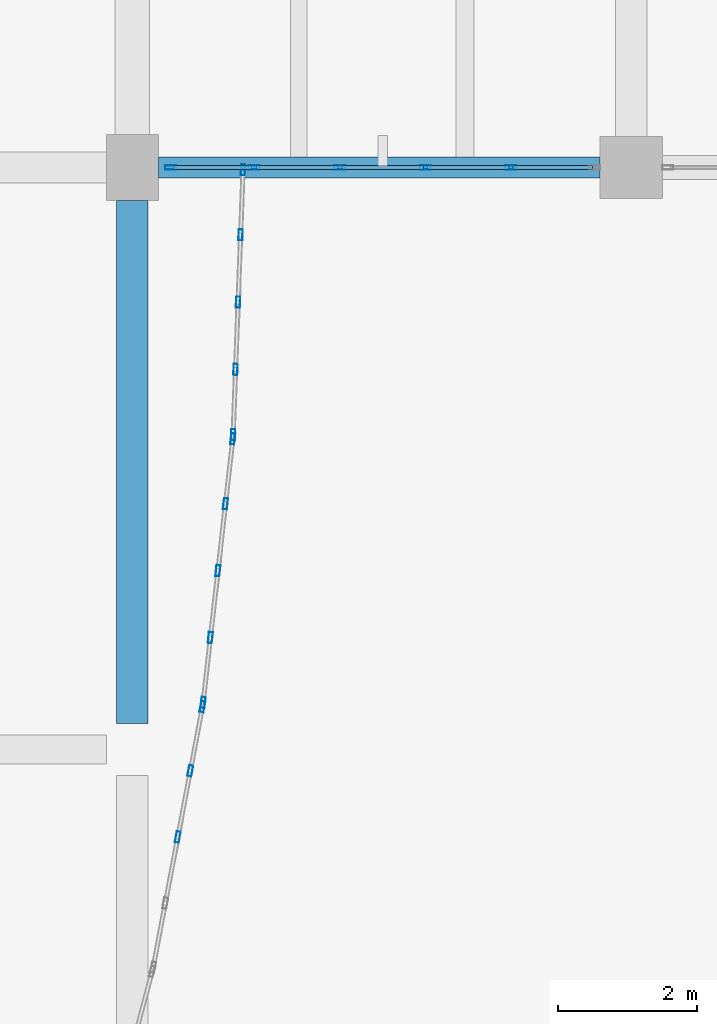
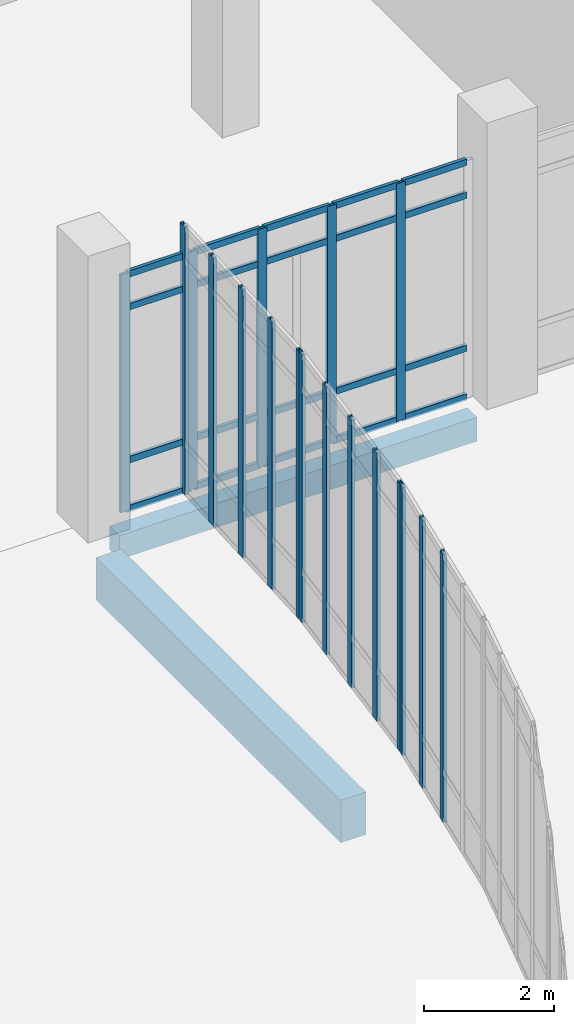
# One storey, part 49 of 110: 38 members, 2 beams, 4 elements without a shape of their own.
"""IFC4 building model written with IfcOpenShell, lengths in metres."""

import ifcopenshell
import ifcopenshell.guid

model = None  # the IFC model being written
_history = None  # IfcOwnerHistory: only IFC2X3 demands one
_inside = {}  # id of a spatial element -> (the spatial element, [elements in it])
_under = {}  # id of a project, library or spatial element -> (it, [spatial elements below it])
_declared = {}  # id of a project -> (the project, [libraries it declares])
_typed = {}  # id of a type object -> (the type object, [elements of that type])
_made_of = {}  # id of a material, layer set ... -> (it, [elements and type objects made of it])


def new_model(schema):
    """Start an empty IFC model of exactly this schema.

    Asked for "IFC4X3", IfcOpenShell would pick the latest addendum, in which some entities
    have other attributes; the version numbers below select the first issue.
    IFC2X3 requires an IfcOwnerHistory on every rooted entity: one is made here for all.
    """
    global model, _history
    if schema == "IFC4X3":
        model = ifcopenshell.file(schema_version=(4, 3, 0, 0))
    else:
        model = ifcopenshell.file(schema=schema)
    _inside.clear()
    _under.clear()
    _declared.clear()
    _typed.clear()
    _made_of.clear()
    _history = None
    if model.schema == "IFC2X3":
        org = make("IfcOrganization", Name="unknown")
        user = make(
            "IfcPersonAndOrganization",
            ThePerson=make("IfcPerson", FamilyName="unknown"),
            TheOrganization=org,
        )
        app = make(
            "IfcApplication",
            ApplicationDeveloper=org,
            Version="unknown",
            ApplicationFullName="unknown",
            ApplicationIdentifier="unknown",
        )
        _history = make(
            "IfcOwnerHistory",
            OwningUser=user,
            OwningApplication=app,
            ChangeAction="ADDED",
            CreationDate=0,
        )
    return model


def make(cls, **values):
    """One entity of the class cls with the attributes given. An attribute that is None is left unset."""
    return model.create_entity(
        cls, **{name: value for name, value in values.items() if value is not None}
    )


def rooted(cls, **values):
    """An entity with a GlobalId (a new one), such as an element, a storey or a relation."""
    return make(cls, GlobalId=ifcopenshell.guid.new(), OwnerHistory=_history, **values)


def si_unit(unit_type, name, prefix=None):
    """IfcSIUnit, for example si_unit("LENGTHUNIT", "METRE", prefix="MILLI")."""
    return make("IfcSIUnit", UnitType=unit_type, Prefix=prefix, Name=name)


def assignment(units):
    """IfcUnitAssignment: the units of a project."""
    return None if units is None else make("IfcUnitAssignment", Units=units)


def point(xyz):
    """IfcCartesianPoint."""
    return None if xyz is None else make("IfcCartesianPoint", Coordinates=xyz)


def direction(xyz):
    """IfcDirection."""
    return None if xyz is None else make("IfcDirection", DirectionRatios=xyz)


def frame(location, z_axis=None, x_axis=None):
    """IfcAxis2Placement3D, a coordinate frame: its origin and axes. An axis left out is left unset."""
    return make(
        "IfcAxis2Placement3D",
        Location=point(location),
        Axis=direction(z_axis),
        RefDirection=direction(x_axis),
    )


def frame_2d(location, x_axis=None):
    """IfcAxis2Placement2D, a coordinate frame in the plane: its origin and x axis."""
    return make(
        "IfcAxis2Placement2D", Location=point(location), RefDirection=direction(x_axis)
    )


def origin():
    """The frame at (0, 0, 0) with its axes left unset."""
    return frame((0.0, 0.0, 0.0))


def origin_2d():
    """The frame at (0, 0) in the plane with its x axis left unset."""
    return frame_2d((0.0, 0.0))


def place(relative_to, where):
    """IfcLocalPlacement: puts the frame where relative to a parent placement (None: the world)."""
    return make(
        "IfcLocalPlacement", PlacementRelTo=relative_to, RelativePlacement=where
    )


def context(
    kind, dimensions, precision=None, world=None, true_north=None, identifier=None
):
    """IfcGeometricRepresentationContext, for example the 3D "Model" context."""
    return make(
        "IfcGeometricRepresentationContext",
        ContextIdentifier=identifier,
        ContextType=kind,
        CoordinateSpaceDimension=dimensions,
        Precision=precision,
        WorldCoordinateSystem=world,
        TrueNorth=true_north,
    )


def subcontext(parent, identifier, kind, view, scale=None):
    """IfcGeometricRepresentationSubContext, for example "Body" below "Model"."""
    return make(
        "IfcGeometricRepresentationSubContext",
        ContextIdentifier=identifier,
        ContextType=kind,
        ParentContext=parent,
        TargetScale=scale,
        TargetView=view,
    )


def project(units=None, contexts=None):
    """IfcProject with its units and contexts."""
    return rooted(
        "IfcProject",
        Name="project",
        RepresentationContexts=contexts,
        UnitsInContext=assignment(units),
    )


def spatial(cls, under=None, at=None, **own):
    """A site, building, storey or space (cls), placed at a placement, below another one or the project."""
    s = rooted(cls, ObjectPlacement=at, **own)
    if under is not None:
        _under.setdefault(under.id(), (under, []))[1].append(s)
    return s


def profile(cls, at=None, kind="AREA", **sizes):
    """A parametric profile (cls). Its sizes go by their IFC names, for example OverallWidth=200.0."""
    return make(cls, ProfileType=kind, Position=at, **sizes)


def rectangle(**sizes):
    """IfcRectangleProfileDef."""
    return profile("IfcRectangleProfileDef", **sizes)


def hollow_rectangle(**sizes):
    """IfcRectangleHollowProfileDef."""
    return profile("IfcRectangleHollowProfileDef", **sizes)


def extrude(swept, where, along, depth):
    """IfcExtrudedAreaSolid: the profile swept, set in the frame where, extruded along a direction by depth."""
    return make(
        "IfcExtrudedAreaSolid",
        SweptArea=swept,
        Position=where,
        ExtrudedDirection=direction(along),
        Depth=depth,
    )


def shape(context_of_items, identifier, shape_type, items):
    """IfcShapeRepresentation: the items that make up one representation, for example the "Body"."""
    return make(
        "IfcShapeRepresentation",
        ContextOfItems=context_of_items,
        RepresentationIdentifier=identifier,
        RepresentationType=shape_type,
        Items=items,
    )


def material(Name=None, Category=None):
    """IfcMaterial."""
    return make("IfcMaterial", Name=Name, Category=Category)


def material_profile(
    of_material, cross_section, Name=None, Category=None, Priority=None
):
    """IfcMaterialProfile: a cross section and its material."""
    return make(
        "IfcMaterialProfile",
        Name=Name,
        Material=of_material,
        Profile=cross_section,
        Priority=Priority,
        Category=Category,
    )


def profile_set(profiles, Name=None, composite=None):
    """IfcMaterialProfileSet."""
    return make(
        "IfcMaterialProfileSet",
        Name=Name,
        MaterialProfiles=profiles,
        CompositeProfile=composite,
    )


def made_of(thing, what):
    """Note that an element or type object is made of a material, layer set ...; save() writes the relation."""
    if what is not None:
        _made_of.setdefault(what.id(), (what, []))[1].append(thing)
    return thing


def type_object(cls, material=None, **own):
    """A type object (cls), such as IfcWallType, which elements share."""
    return made_of(rooted(cls, **own), material)


def element(
    cls,
    number,
    at=None,
    inside=None,
    cuts=None,
    type_object=None,
    material=None,
    context=None,
    identifier="Body",
    shape_type=None,
    held_by="IfcProductDefinitionShape",
    body=None,
    shapes=None,
    **own,
):
    """One element of the class cls, such as IfcWall. Its Tag is "e" and its number.

    at: its placement. inside: the storey or other place that contains it. cuts: it is an
    opening in that element (IfcRelVoidsElement). A single representation is given by context,
    identifier, shape_type and body (its items); several are given by shapes. held_by: the class
    of the entity that holds the representations. save() writes the other relations.
    """
    e = rooted(cls, Tag="e%d" % number, ObjectPlacement=at, **own)
    if body is not None:
        shapes = [shape(context, identifier, shape_type, body)]
    if shapes is not None:
        e.Representation = make(held_by, Representations=shapes)
    if inside is not None:
        _inside.setdefault(inside.id(), (inside, []))[1].append(e)
    if cuts is not None:
        rooted(
            "IfcRelVoidsElement", RelatingBuildingElement=cuts, RelatedOpeningElement=e
        )
    if type_object is not None:
        _typed.setdefault(type_object.id(), (type_object, []))[1].append(e)
    return made_of(e, material)


def aggregate(whole, parts):
    """IfcRelAggregates: a whole, such as a stair, and the parts it consists of."""
    return rooted("IfcRelAggregates", RelatingObject=whole, RelatedObjects=parts)


def save(model, path):
    """Write the relations noted so far, then the file.

    IfcRelAggregates (storeys below a building ...), IfcRelContainedInSpatialStructure (elements
    in a storey), IfcRelDefinesByType, IfcRelAssociatesMaterial and IfcRelDeclares: one each for
    every whole, place, type object, material and project.
    """
    for whole, parts in _under.values():
        aggregate(whole, parts)
    for where, things in _inside.values():
        rooted(
            "IfcRelContainedInSpatialStructure",
            RelatedElements=things,
            RelatingStructure=where,
        )
    for kind, things in _typed.values():
        rooted("IfcRelDefinesByType", RelatedObjects=things, RelatingType=kind)
    for what, things in _made_of.values():
        rooted("IfcRelAssociatesMaterial", RelatedObjects=things, RelatingMaterial=what)
    for by, libraries in _declared.values():
        rooted("IfcRelDeclares", RelatingContext=by, RelatedDefinitions=libraries)
    model.write(path)


model = new_model("IFC4")

# Units and contexts
model_context = context("Model", 3, precision=1e-05, world=origin(), true_north=direction((0.0, 1.0)))
body_context = subcontext(model_context, "Body", "Model", "MODEL_VIEW")
ifc_project = project(units=[si_unit("LENGTHUNIT", "METRE"), si_unit("AREAUNIT", "SQUARE_METRE"), si_unit("VOLUMEUNIT", "CUBIC_METRE"), si_unit("PLANEANGLEUNIT", "RADIAN"), si_unit("MASSUNIT", "GRAM", prefix="KILO")], contexts=[model_context])

# Site, building, storey
site_placement = place(None, origin())
site = spatial("IfcSite", under=ifc_project, at=site_placement, CompositionType="ELEMENT")
building_placement = place(site_placement, origin())
building = spatial("IfcBuilding", under=site, at=building_placement, Name="Kalluvel Institute of Natural Sciences", CompositionType="ELEMENT")
storey_placement = place(building_placement, origin())
storey = spatial("IfcBuildingStorey", under=building, at=storey_placement, Name="L00", CompositionType="ELEMENT", Elevation=0.0)

# Beam
ifc_material_1 = material(Name="Concrete M40", Category="concrete")
ifc_material_profile_1 = material_profile(ifc_material_1, rectangle(XDim=0.449951171875, YDim=0.800048828125, at=origin_2d()), Name="RCB 450x800")
ifc_profile_set_1 = profile_set([ifc_material_profile_1], Name="Concrete M40")
beam_type_1 = type_object("IfcBeamType", Name="BM-RC450x800", PredefinedType="BEAM", material=ifc_profile_set_1)
beam_1_placement = place(storey_placement, frame((86.0, 94.77490234375, -0.719970703125), z_axis=(0.0, 1.0, 0.0), x_axis=(-1.0, 0.0, 0.0)))
element("IfcBeam", 1, at=beam_1_placement, inside=storey, type_object=beam_type_1, Name="L00 girder GIR-L00-NS-X860-Y944", PredefinedType="BEAM", context=body_context, shape_type="SweptSolid", body=[
    extrude(rectangle(XDim=0.449951171875, YDim=0.800048828125, at=origin_2d()), origin(), (0.0, 0.0, 1.0), 7.550048828125),
])

# Curtain wall, members
ifc_material_2 = material(Name="Aluminium AW-6063 T6", Category="aluminium")
curtain_wall_type_1 = type_object("IfcCurtainWallType", Name="CW-WET-54", PredefinedType="USERDEFINED", material=ifc_material_2)
curtain_wall_1_placement = place(storey_placement, origin())
curtain_wall_1 = element("IfcCurtainWall", 2, at=curtain_wall_1_placement, inside=storey, type_object=curtain_wall_type_1, Name="L00 Gothic lancet curtain wall CWA-L00-X865-Y1028", ObjectType="UNITISED LANCET FACADE", PredefinedType="USERDEFINED")
ifc_material_profile_2 = material_profile(ifc_material_2, hollow_rectangle(XDim=0.06005859375, YDim=0.159912109375, WallThickness=0.00390625, at=origin_2d()), Name="CWM 60x160")
ifc_profile_set_2 = profile_set([ifc_material_profile_2], Name="Aluminium AW-6063 T6")
member_type_1 = type_object("IfcMemberType", Name="CWM-60x160", PredefinedType="MULLION", material=ifc_profile_set_2)
member_1_placement = place(storey_placement, frame((86.554931640625, 102.800048828125, 0.0), z_axis=(0.0, 0.0, 1.0), x_axis=(0.0, 1.0, 0.0)))
member_1 = element("IfcMember", 3, at=member_1_placement, type_object=member_type_1, Name="CW-02 mullion 1", PredefinedType="MULLION", context=body_context, shape_type="SweptSolid", body=[
    extrude(hollow_rectangle(XDim=0.06005859375, YDim=0.159912109375, WallThickness=0.00390625, at=origin_2d()), origin(), (0.0, 0.0, 1.0), 4.47998046875),
])
member_2_placement = place(storey_placement, frame((87.760009765625, 102.800048828125, 0.0), z_axis=(0.0, 0.0, 1.0), x_axis=(0.0, 1.0, 0.0)))
member_2 = element("IfcMember", 4, at=member_2_placement, type_object=member_type_1, Name="CW-02 mullion 2", PredefinedType="MULLION", context=body_context, shape_type="SweptSolid", body=[
    extrude(hollow_rectangle(XDim=0.06005859375, YDim=0.159912109375, WallThickness=0.00390625, at=origin_2d()), origin(), (0.0, 0.0, 1.0), 4.47998046875),
])
member_3_placement = place(storey_placement, frame((88.9951171875, 102.800048828125, 0.0), z_axis=(0.0, 0.0, 1.0), x_axis=(0.0, 1.0, 0.0)))
member_3 = element("IfcMember", 5, at=member_3_placement, type_object=member_type_1, Name="CW-02 mullion 3", PredefinedType="MULLION", context=body_context, shape_type="SweptSolid", body=[
    extrude(hollow_rectangle(XDim=0.06005859375, YDim=0.159912109375, WallThickness=0.00390625, at=origin_2d()), origin(), (0.0, 0.0, 1.0), 4.47998046875),
])
member_4_placement = place(storey_placement, frame((90.22998046875, 102.800048828125, 0.0), z_axis=(0.0, 0.0, 1.0), x_axis=(0.0, 1.0, 0.0)))
member_4 = element("IfcMember", 6, at=member_4_placement, type_object=member_type_1, Name="CW-02 mullion 4", PredefinedType="MULLION", context=body_context, shape_type="SweptSolid", body=[
    extrude(hollow_rectangle(XDim=0.06005859375, YDim=0.159912109375, WallThickness=0.00390625, at=origin_2d()), origin(), (0.0, 0.0, 1.0), 4.47998046875),
])
member_5_placement = place(storey_placement, frame((91.465087890625, 102.800048828125, 0.0), z_axis=(0.0, 0.0, 1.0), x_axis=(0.0, 1.0, 0.0)))
member_5 = element("IfcMember", 7, at=member_5_placement, type_object=member_type_1, Name="CW-02 mullion 5", PredefinedType="MULLION", context=body_context, shape_type="SweptSolid", body=[
    extrude(hollow_rectangle(XDim=0.06005859375, YDim=0.159912109375, WallThickness=0.00390625, at=origin_2d()), origin(), (0.0, 0.0, 1.0), 4.47998046875),
])

curtain_wall_type_2 = type_object("IfcCurtainWallType", Name="CW-ATR-L00", PredefinedType="USERDEFINED", material=ifc_material_2)
curtain_wall_2_placement = place(storey_placement, origin())
curtain_wall_2 = element("IfcCurtainWall", 8, at=curtain_wall_2_placement, inside=storey, type_object=curtain_wall_type_2, Name="L00 Gothic lancet curtain wall CWA-L00-X863-Y912", ObjectType="UNITISED LANCET FACADE", PredefinedType="USERDEFINED")
member_6_placement = place(storey_placement, frame((86.65771484375, 93.139404296875, 0.0), z_axis=(0.0, 0.0, 1.0), x_axis=(-0.982568976212, 0.185898378113, 0.0)))
member_6 = element("IfcMember", 9, at=member_6_placement, type_object=member_type_1, Name="CW-06 mullion 3", PredefinedType="MULLION", context=body_context, shape_type="SweptSolid", body=[
    extrude(hollow_rectangle(XDim=0.06005859375, YDim=0.159912109375, WallThickness=0.00390625, at=origin_2d()), origin(), (0.0, 0.0, 1.0), 5.050048828125),
])
member_7_placement = place(storey_placement, frame((86.83837890625, 94.094482421875, 0.0), z_axis=(0.0, 0.0, 1.0), x_axis=(-0.982568976212, 0.185898378113, 0.0)))
member_7 = element("IfcMember", 10, at=member_7_placement, type_object=member_type_1, Name="CW-06 mullion 4", PredefinedType="MULLION", context=body_context, shape_type="SweptSolid", body=[
    extrude(hollow_rectangle(XDim=0.06005859375, YDim=0.159912109375, WallThickness=0.00390625, at=origin_2d()), origin(), (0.0, 0.0, 1.0), 5.050048828125),
])
member_8_placement = place(storey_placement, frame((87.013671875, 95.020263671875, 0.0), z_axis=(0.0, 0.0, 1.0), x_axis=(-0.982568976212, 0.185898378113, 0.0)))
member_8 = element("IfcMember", 11, at=member_8_placement, type_object=member_type_1, Name="CW-06 mullion 5", PredefinedType="MULLION", context=body_context, shape_type="SweptSolid", body=[
    extrude(hollow_rectangle(XDim=0.06005859375, YDim=0.159912109375, WallThickness=0.00390625, at=origin_2d()), origin(), (0.0, 0.0, 1.0), 5.050048828125),
])
aggregate(curtain_wall_2, [member_6, member_7, member_8])

curtain_wall_3_placement = place(storey_placement, origin())
curtain_wall_3 = element("IfcCurtainWall", 12, at=curtain_wall_3_placement, inside=storey, type_object=curtain_wall_type_2, Name="L00 Gothic lancet curtain wall CWA-L00-X870-Y950", ObjectType="UNITISED LANCET FACADE", PredefinedType="USERDEFINED")
member_9_placement = place(storey_placement, frame((87.0224609375, 95.07958984375, 0.0), z_axis=(0.0, 0.0, 1.0), x_axis=(-0.993711945931, 0.111966818808, 0.0)))
member_9 = element("IfcMember", 13, at=member_9_placement, type_object=member_type_1, Name="CW-06 mullion 1", PredefinedType="MULLION", context=body_context, shape_type="SweptSolid", body=[
    extrude(hollow_rectangle(XDim=0.06005859375, YDim=0.159912109375, WallThickness=0.00390625, at=origin_2d()), origin(), (0.0, 0.0, 1.0), 5.050048828125),
])
member_10_placement = place(storey_placement, frame((87.1279296875, 96.015869140625, 0.0), z_axis=(0.0, 0.0, 1.0), x_axis=(-0.993711945931, 0.111966818808, 0.0)))
member_10 = element("IfcMember", 14, at=member_10_placement, type_object=member_type_1, Name="CW-06 mullion 2", PredefinedType="MULLION", context=body_context, shape_type="SweptSolid", body=[
    extrude(hollow_rectangle(XDim=0.06005859375, YDim=0.159912109375, WallThickness=0.00390625, at=origin_2d()), origin(), (0.0, 0.0, 1.0), 5.050048828125),
])
member_11_placement = place(storey_placement, frame((87.23681640625, 96.98193359375, 0.0), z_axis=(0.0, 0.0, 1.0), x_axis=(-0.993711945931, 0.111966818808, 0.0)))
member_11 = element("IfcMember", 15, at=member_11_placement, type_object=member_type_1, Name="CW-06 mullion 3", PredefinedType="MULLION", context=body_context, shape_type="SweptSolid", body=[
    extrude(hollow_rectangle(XDim=0.06005859375, YDim=0.159912109375, WallThickness=0.00390625, at=origin_2d()), origin(), (0.0, 0.0, 1.0), 5.050048828125),
])
member_12_placement = place(storey_placement, frame((87.345703125, 97.947998046875, 0.0), z_axis=(0.0, 0.0, 1.0), x_axis=(-0.993711945931, 0.111966818808, 0.0)))
member_12 = element("IfcMember", 16, at=member_12_placement, type_object=member_type_1, Name="CW-06 mullion 4", PredefinedType="MULLION", context=body_context, shape_type="SweptSolid", body=[
    extrude(hollow_rectangle(XDim=0.06005859375, YDim=0.159912109375, WallThickness=0.00390625, at=origin_2d()), origin(), (0.0, 0.0, 1.0), 5.050048828125),
])
member_13_placement = place(storey_placement, frame((87.451171875, 98.88427734375, 0.0), z_axis=(0.0, 0.0, 1.0), x_axis=(-0.993711945931, 0.111966818808, 0.0)))
member_13 = element("IfcMember", 17, at=member_13_placement, type_object=member_type_1, Name="CW-06 mullion 5", PredefinedType="MULLION", context=body_context, shape_type="SweptSolid", body=[
    extrude(hollow_rectangle(XDim=0.06005859375, YDim=0.159912109375, WallThickness=0.00390625, at=origin_2d()), origin(), (0.0, 0.0, 1.0), 5.050048828125),
])
aggregate(curtain_wall_3, [member_9, member_10, member_11, member_12, member_13])

curtain_wall_4_placement = place(storey_placement, origin())
curtain_wall_4 = element("IfcCurtainWall", 18, at=curtain_wall_4_placement, inside=storey, type_object=curtain_wall_type_2, Name="L00 Gothic lancet curtain wall CWA-L00-X875-Y989", ObjectType="UNITISED LANCET FACADE", PredefinedType="USERDEFINED")
member_14_placement = place(storey_placement, frame((87.455810546875, 98.944091796875, 0.0), z_axis=(0.0, 0.0, 1.0), x_axis=(-0.999300741888, 0.037390202753, 0.0)))
member_14 = element("IfcMember", 19, at=member_14_placement, type_object=member_type_1, Name="CW-06 mullion 1", PredefinedType="MULLION", context=body_context, shape_type="SweptSolid", body=[
    extrude(hollow_rectangle(XDim=0.06005859375, YDim=0.159912109375, WallThickness=0.00390625, at=origin_2d()), origin(), (0.0, 0.0, 1.0), 5.050048828125),
])
member_15_placement = place(storey_placement, frame((87.490966796875, 99.885498046875, 0.0), z_axis=(0.0, 0.0, 1.0), x_axis=(-0.999300741888, 0.037390202753, 0.0)))
member_15 = element("IfcMember", 20, at=member_15_placement, type_object=member_type_1, Name="CW-06 mullion 2", PredefinedType="MULLION", context=body_context, shape_type="SweptSolid", body=[
    extrude(hollow_rectangle(XDim=0.06005859375, YDim=0.159912109375, WallThickness=0.00390625, at=origin_2d()), origin(), (0.0, 0.0, 1.0), 5.050048828125),
])
member_16_placement = place(storey_placement, frame((87.52734375, 100.85693359375, 0.0), z_axis=(0.0, 0.0, 1.0), x_axis=(-0.999300741888, 0.037390202753, 0.0)))
member_16 = element("IfcMember", 21, at=member_16_placement, type_object=member_type_1, Name="CW-06 mullion 3", PredefinedType="MULLION", context=body_context, shape_type="SweptSolid", body=[
    extrude(hollow_rectangle(XDim=0.06005859375, YDim=0.159912109375, WallThickness=0.00390625, at=origin_2d()), origin(), (0.0, 0.0, 1.0), 5.050048828125),
])
member_17_placement = place(storey_placement, frame((87.563720703125, 101.82861328125, 0.0), z_axis=(0.0, 0.0, 1.0), x_axis=(-0.999300741888, 0.037390202753, 0.0)))
member_17 = element("IfcMember", 22, at=member_17_placement, type_object=member_type_1, Name="CW-06 mullion 4", PredefinedType="MULLION", context=body_context, shape_type="SweptSolid", body=[
    extrude(hollow_rectangle(XDim=0.06005859375, YDim=0.159912109375, WallThickness=0.00390625, at=origin_2d()), origin(), (0.0, 0.0, 1.0), 5.050048828125),
])
member_18_placement = place(storey_placement, frame((87.598876953125, 102.77001953125, 0.0), z_axis=(0.0, 0.0, 1.0), x_axis=(-0.999300741888, 0.037390202753, 0.0)))
member_18 = element("IfcMember", 23, at=member_18_placement, type_object=member_type_1, Name="CW-06 mullion 5", PredefinedType="MULLION", context=body_context, shape_type="SweptSolid", body=[
    extrude(hollow_rectangle(XDim=0.06005859375, YDim=0.159912109375, WallThickness=0.00390625, at=origin_2d()), origin(), (0.0, 0.0, 1.0), 5.050048828125),
])
aggregate(curtain_wall_4, [member_14, member_15, member_16, member_17, member_18])

# Member
ifc_material_profile_3 = material_profile(ifc_material_2, hollow_rectangle(XDim=0.06005859375, YDim=0.1201171875, WallThickness=0.00390625, at=origin_2d()), Name="CWT 60x120")
ifc_profile_set_3 = profile_set([ifc_material_profile_3], Name="Aluminium AW-6063 T6")
member_type_2 = type_object("IfcMemberType", Name="CWT-60x120", PredefinedType="USERDEFINED", material=ifc_profile_set_3)
member_19_placement = place(storey_placement, frame((86.5849609375, 102.800048828125, 0.030029296875), z_axis=(1.0, 0.0, 0.0), x_axis=(0.0, 1.0, 0.0)))
member_19 = element("IfcMember", 24, at=member_19_placement, type_object=member_type_2, Name="CW-02 transom 1.1", ObjectType="TRANSOM", PredefinedType="USERDEFINED", context=body_context, shape_type="SweptSolid", body=[
    extrude(hollow_rectangle(XDim=0.06005859375, YDim=0.1201171875, WallThickness=0.00390625, at=origin_2d()), origin(), (0.0, 0.0, 1.0), 1.14501953125),
])

member_20_placement = place(storey_placement, frame((86.5849609375, 102.800048828125, 0.949951171875), z_axis=(1.0, 0.0, 0.0), x_axis=(0.0, 1.0, 0.0)))
member_20 = element("IfcMember", 25, at=member_20_placement, type_object=member_type_2, Name="CW-02 transom 1.2", ObjectType="TRANSOM", PredefinedType="USERDEFINED", context=body_context, shape_type="SweptSolid", body=[
    extrude(hollow_rectangle(XDim=0.06005859375, YDim=0.1201171875, WallThickness=0.00390625, at=origin_2d()), origin(), (0.0, 0.0, 1.0), 1.14501953125),
])

member_21_placement = place(storey_placement, frame((86.5849609375, 102.800048828125, 3.830078125), z_axis=(1.0, 0.0, 0.0), x_axis=(0.0, 1.0, 0.0)))
member_21 = element("IfcMember", 26, at=member_21_placement, type_object=member_type_2, Name="CW-02 transom 1.3", ObjectType="TRANSOM", PredefinedType="USERDEFINED", context=body_context, shape_type="SweptSolid", body=[
    extrude(hollow_rectangle(XDim=0.06005859375, YDim=0.1201171875, WallThickness=0.00390625, at=origin_2d()), origin(), (0.0, 0.0, 1.0), 1.14501953125),
])

member_22_placement = place(storey_placement, frame((86.5849609375, 102.800048828125, 4.449951171875), z_axis=(1.0, 0.0, 0.0), x_axis=(0.0, 1.0, 0.0)))
member_22 = element("IfcMember", 27, at=member_22_placement, type_object=member_type_2, Name="CW-02 transom 1.4", ObjectType="TRANSOM", PredefinedType="USERDEFINED", context=body_context, shape_type="SweptSolid", body=[
    extrude(hollow_rectangle(XDim=0.06005859375, YDim=0.1201171875, WallThickness=0.00390625, at=origin_2d()), origin(), (0.0, 0.0, 1.0), 1.14501953125),
])

member_23_placement = place(storey_placement, frame((87.7900390625, 102.800048828125, 0.030029296875), z_axis=(1.0, 0.0, 0.0), x_axis=(0.0, 1.0, 0.0)))
member_23 = element("IfcMember", 28, at=member_23_placement, type_object=member_type_2, Name="CW-02 transom 2.1", ObjectType="TRANSOM", PredefinedType="USERDEFINED", context=body_context, shape_type="SweptSolid", body=[
    extrude(hollow_rectangle(XDim=0.06005859375, YDim=0.1201171875, WallThickness=0.00390625, at=origin_2d()), origin(), (0.0, 0.0, 1.0), 1.175048828125),
])

member_24_placement = place(storey_placement, frame((87.7900390625, 102.800048828125, 0.949951171875), z_axis=(1.0, 0.0, 0.0), x_axis=(0.0, 1.0, 0.0)))
member_24 = element("IfcMember", 29, at=member_24_placement, type_object=member_type_2, Name="CW-02 transom 2.2", ObjectType="TRANSOM", PredefinedType="USERDEFINED", context=body_context, shape_type="SweptSolid", body=[
    extrude(hollow_rectangle(XDim=0.06005859375, YDim=0.1201171875, WallThickness=0.00390625, at=origin_2d()), origin(), (0.0, 0.0, 1.0), 1.175048828125),
])

member_25_placement = place(storey_placement, frame((87.7900390625, 102.800048828125, 3.830078125), z_axis=(1.0, 0.0, 0.0), x_axis=(0.0, 1.0, 0.0)))
member_25 = element("IfcMember", 30, at=member_25_placement, type_object=member_type_2, Name="CW-02 transom 2.3", ObjectType="TRANSOM", PredefinedType="USERDEFINED", context=body_context, shape_type="SweptSolid", body=[
    extrude(hollow_rectangle(XDim=0.06005859375, YDim=0.1201171875, WallThickness=0.00390625, at=origin_2d()), origin(), (0.0, 0.0, 1.0), 1.175048828125),
])

member_26_placement = place(storey_placement, frame((87.7900390625, 102.800048828125, 4.449951171875), z_axis=(1.0, 0.0, 0.0), x_axis=(0.0, 1.0, 0.0)))
member_26 = element("IfcMember", 31, at=member_26_placement, type_object=member_type_2, Name="CW-02 transom 2.4", ObjectType="TRANSOM", PredefinedType="USERDEFINED", context=body_context, shape_type="SweptSolid", body=[
    extrude(hollow_rectangle(XDim=0.06005859375, YDim=0.1201171875, WallThickness=0.00390625, at=origin_2d()), origin(), (0.0, 0.0, 1.0), 1.175048828125),
])

member_27_placement = place(storey_placement, frame((89.02490234375, 102.800048828125, 0.030029296875), z_axis=(1.0, 0.0, 0.0), x_axis=(0.0, 1.0, 0.0)))
member_27 = element("IfcMember", 32, at=member_27_placement, type_object=member_type_2, Name="CW-02 transom 3.1", ObjectType="TRANSOM", PredefinedType="USERDEFINED", context=body_context, shape_type="SweptSolid", body=[
    extrude(hollow_rectangle(XDim=0.06005859375, YDim=0.1201171875, WallThickness=0.00390625, at=origin_2d()), origin(), (0.0, 0.0, 1.0), 1.175048828125),
])

member_28_placement = place(storey_placement, frame((89.02490234375, 102.800048828125, 0.949951171875), z_axis=(1.0, 0.0, 0.0), x_axis=(0.0, 1.0, 0.0)))
member_28 = element("IfcMember", 33, at=member_28_placement, type_object=member_type_2, Name="CW-02 transom 3.2", ObjectType="TRANSOM", PredefinedType="USERDEFINED", context=body_context, shape_type="SweptSolid", body=[
    extrude(hollow_rectangle(XDim=0.06005859375, YDim=0.1201171875, WallThickness=0.00390625, at=origin_2d()), origin(), (0.0, 0.0, 1.0), 1.175048828125),
])

member_29_placement = place(storey_placement, frame((89.02490234375, 102.800048828125, 3.830078125), z_axis=(1.0, 0.0, 0.0), x_axis=(0.0, 1.0, 0.0)))
member_29 = element("IfcMember", 34, at=member_29_placement, type_object=member_type_2, Name="CW-02 transom 3.3", ObjectType="TRANSOM", PredefinedType="USERDEFINED", context=body_context, shape_type="SweptSolid", body=[
    extrude(hollow_rectangle(XDim=0.06005859375, YDim=0.1201171875, WallThickness=0.00390625, at=origin_2d()), origin(), (0.0, 0.0, 1.0), 1.175048828125),
])

member_30_placement = place(storey_placement, frame((89.02490234375, 102.800048828125, 4.449951171875), z_axis=(1.0, 0.0, 0.0), x_axis=(0.0, 1.0, 0.0)))
member_30 = element("IfcMember", 35, at=member_30_placement, type_object=member_type_2, Name="CW-02 transom 3.4", ObjectType="TRANSOM", PredefinedType="USERDEFINED", context=body_context, shape_type="SweptSolid", body=[
    extrude(hollow_rectangle(XDim=0.06005859375, YDim=0.1201171875, WallThickness=0.00390625, at=origin_2d()), origin(), (0.0, 0.0, 1.0), 1.175048828125),
])

member_31_placement = place(storey_placement, frame((90.260009765625, 102.800048828125, 0.030029296875), z_axis=(1.0, 0.0, 0.0), x_axis=(0.0, 1.0, 0.0)))
member_31 = element("IfcMember", 36, at=member_31_placement, type_object=member_type_2, Name="CW-02 transom 4.1", ObjectType="TRANSOM", PredefinedType="USERDEFINED", context=body_context, shape_type="SweptSolid", body=[
    extrude(hollow_rectangle(XDim=0.06005859375, YDim=0.1201171875, WallThickness=0.00390625, at=origin_2d()), origin(), (0.0, 0.0, 1.0), 1.175048828125),
])

member_32_placement = place(storey_placement, frame((90.260009765625, 102.800048828125, 0.949951171875), z_axis=(1.0, 0.0, 0.0), x_axis=(0.0, 1.0, 0.0)))
member_32 = element("IfcMember", 37, at=member_32_placement, type_object=member_type_2, Name="CW-02 transom 4.2", ObjectType="TRANSOM", PredefinedType="USERDEFINED", context=body_context, shape_type="SweptSolid", body=[
    extrude(hollow_rectangle(XDim=0.06005859375, YDim=0.1201171875, WallThickness=0.00390625, at=origin_2d()), origin(), (0.0, 0.0, 1.0), 1.175048828125),
])

member_33_placement = place(storey_placement, frame((90.260009765625, 102.800048828125, 3.830078125), z_axis=(1.0, 0.0, 0.0), x_axis=(0.0, 1.0, 0.0)))
member_33 = element("IfcMember", 38, at=member_33_placement, type_object=member_type_2, Name="CW-02 transom 4.3", ObjectType="TRANSOM", PredefinedType="USERDEFINED", context=body_context, shape_type="SweptSolid", body=[
    extrude(hollow_rectangle(XDim=0.06005859375, YDim=0.1201171875, WallThickness=0.00390625, at=origin_2d()), origin(), (0.0, 0.0, 1.0), 1.175048828125),
])

member_34_placement = place(storey_placement, frame((90.260009765625, 102.800048828125, 4.449951171875), z_axis=(1.0, 0.0, 0.0), x_axis=(0.0, 1.0, 0.0)))
member_34 = element("IfcMember", 39, at=member_34_placement, type_object=member_type_2, Name="CW-02 transom 4.4", ObjectType="TRANSOM", PredefinedType="USERDEFINED", context=body_context, shape_type="SweptSolid", body=[
    extrude(hollow_rectangle(XDim=0.06005859375, YDim=0.1201171875, WallThickness=0.00390625, at=origin_2d()), origin(), (0.0, 0.0, 1.0), 1.175048828125),
])

member_35_placement = place(storey_placement, frame((91.4951171875, 102.800048828125, 0.030029296875), z_axis=(1.0, 0.0, 0.0), x_axis=(0.0, 1.0, 0.0)))
member_35 = element("IfcMember", 40, at=member_35_placement, type_object=member_type_2, Name="CW-02 transom 5.1", ObjectType="TRANSOM", PredefinedType="USERDEFINED", context=body_context, shape_type="SweptSolid", body=[
    extrude(hollow_rectangle(XDim=0.06005859375, YDim=0.1201171875, WallThickness=0.00390625, at=origin_2d()), origin(), (0.0, 0.0, 1.0), 1.144775390625),
])

member_36_placement = place(storey_placement, frame((91.4951171875, 102.800048828125, 0.949951171875), z_axis=(1.0, 0.0, 0.0), x_axis=(0.0, 1.0, 0.0)))
member_36 = element("IfcMember", 41, at=member_36_placement, type_object=member_type_2, Name="CW-02 transom 5.2", ObjectType="TRANSOM", PredefinedType="USERDEFINED", context=body_context, shape_type="SweptSolid", body=[
    extrude(hollow_rectangle(XDim=0.06005859375, YDim=0.1201171875, WallThickness=0.00390625, at=origin_2d()), origin(), (0.0, 0.0, 1.0), 1.144775390625),
])

member_37_placement = place(storey_placement, frame((91.4951171875, 102.800048828125, 3.830078125), z_axis=(1.0, 0.0, 0.0), x_axis=(0.0, 1.0, 0.0)))
member_37 = element("IfcMember", 42, at=member_37_placement, type_object=member_type_2, Name="CW-02 transom 5.3", ObjectType="TRANSOM", PredefinedType="USERDEFINED", context=body_context, shape_type="SweptSolid", body=[
    extrude(hollow_rectangle(XDim=0.06005859375, YDim=0.1201171875, WallThickness=0.00390625, at=origin_2d()), origin(), (0.0, 0.0, 1.0), 1.144775390625),
])

member_38_placement = place(storey_placement, frame((91.4951171875, 102.800048828125, 4.449951171875), z_axis=(1.0, 0.0, 0.0), x_axis=(0.0, 1.0, 0.0)))
member_38 = element("IfcMember", 43, at=member_38_placement, type_object=member_type_2, Name="CW-02 transom 5.4", ObjectType="TRANSOM", PredefinedType="USERDEFINED", context=body_context, shape_type="SweptSolid", body=[
    extrude(hollow_rectangle(XDim=0.06005859375, YDim=0.1201171875, WallThickness=0.00390625, at=origin_2d()), origin(), (0.0, 0.0, 1.0), 1.144775390625),
])

aggregate(curtain_wall_1, [member_1, member_2, member_3, member_4, member_5, member_19, member_20, member_21, member_22, member_23, member_24, member_25, member_26, member_27, member_28, member_29, member_30, member_31, member_32, member_33, member_34, member_35, member_36, member_37, member_38])

# Beam
ifc_material_profile_4 = material_profile(ifc_material_1, rectangle(XDim=0.300048828125, YDim=0.449951171875, at=origin_2d()), Name="RCB 300x450")
ifc_profile_set_4 = profile_set([ifc_material_profile_4], Name="Concrete M40")
beam_type_2 = type_object("IfcBeamType", Name="SP-RC300x450", PredefinedType="SPANDREL", material=ifc_profile_set_4)
beam_2_placement = place(storey_placement, frame((86.375, 102.800048828125, -0.544921875), z_axis=(1.0, 0.0, 0.0), x_axis=(0.0, 1.0, 0.0)))
element("IfcBeam", 44, at=beam_2_placement, inside=storey, type_object=beam_type_2, Name="L00 girder GIR-L00-EW-X860-Y1028", PredefinedType="SPANDREL", context=body_context, shape_type="SweptSolid", body=[
    extrude(rectangle(XDim=0.300048828125, YDim=0.449951171875, at=origin_2d()), origin(), (0.0, 0.0, 1.0), 6.375),
])

save(model, "model.ifc")
